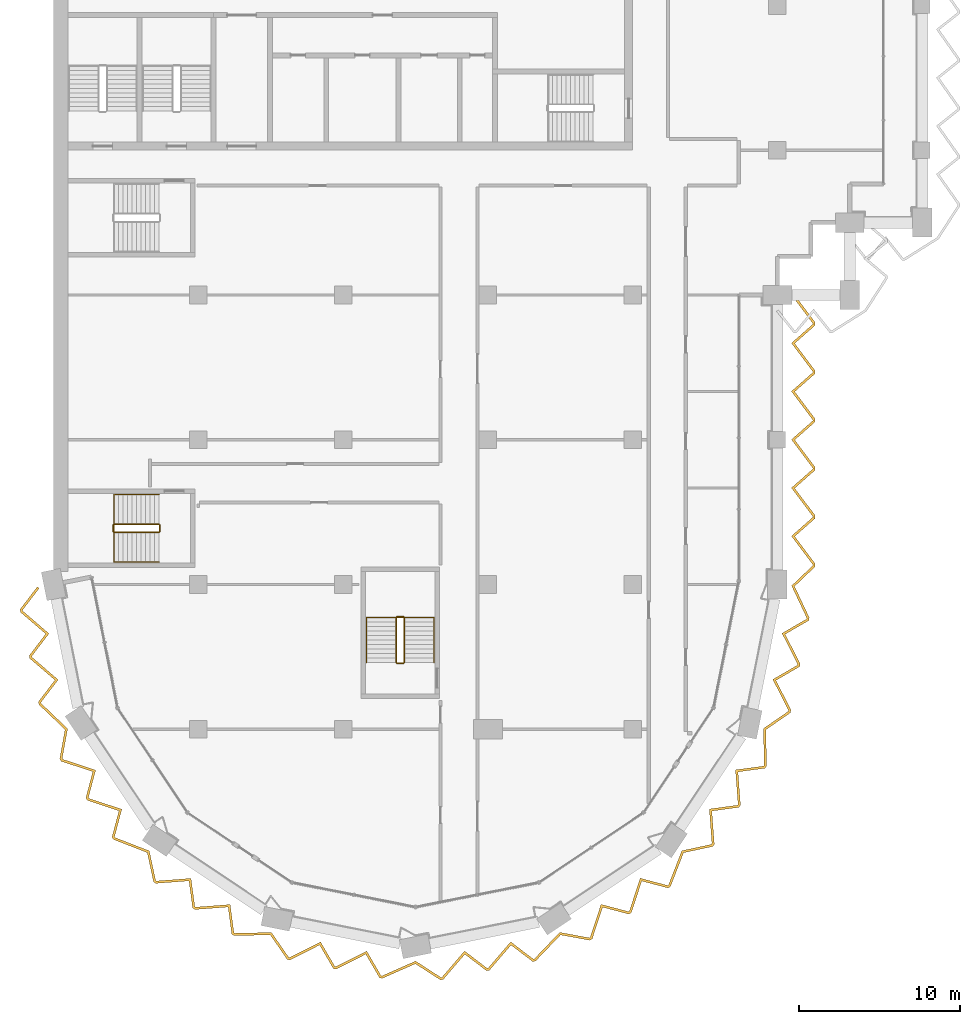
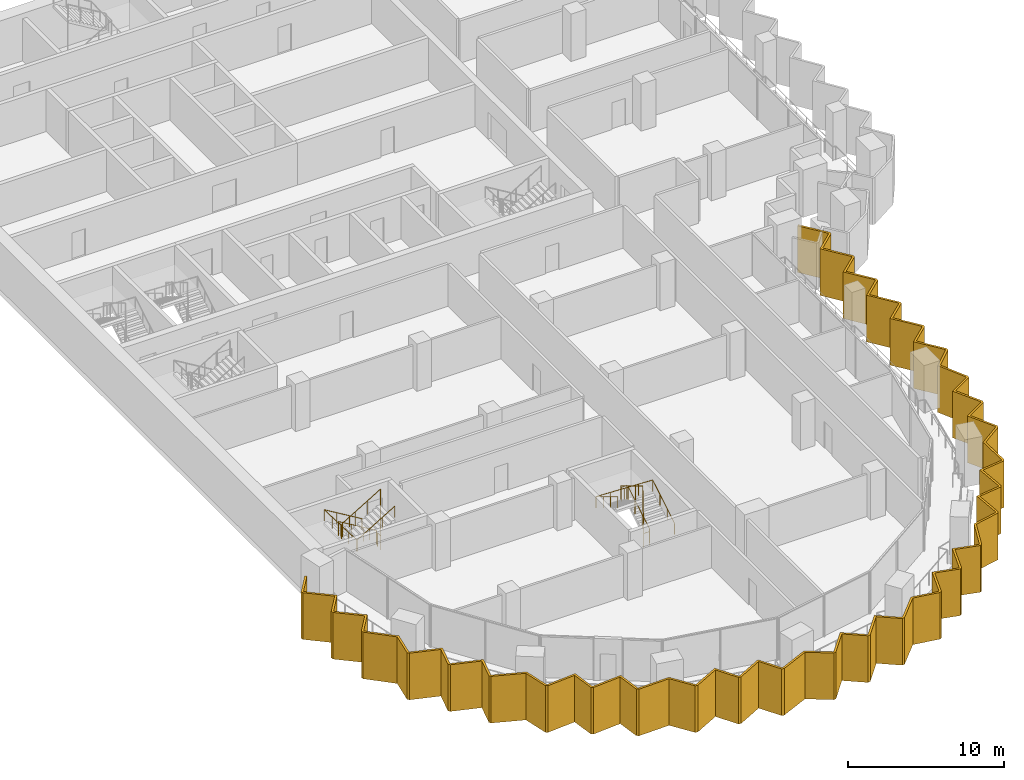
# One storey, part 14 of 17: 4 railings, 1 shading device.
"""IFC4 building model written with IfcOpenShell, lengths in metres."""

import ifcopenshell
import ifcopenshell.guid

model = None  # the IFC model being written
_history = None  # IfcOwnerHistory: only IFC2X3 demands one
_inside = {}  # id of a spatial element -> (the spatial element, [elements in it])
_under = {}  # id of a project, library or spatial element -> (it, [spatial elements below it])
_declared = {}  # id of a project -> (the project, [libraries it declares])
_typed = {}  # id of a type object -> (the type object, [elements of that type])
_made_of = {}  # id of a material, layer set ... -> (it, [elements and type objects made of it])


def new_model(schema):
    """Start an empty IFC model of exactly this schema.

    Asked for "IFC4X3", IfcOpenShell would pick the latest addendum, in which some entities
    have other attributes; the version numbers below select the first issue.
    IFC2X3 requires an IfcOwnerHistory on every rooted entity: one is made here for all.
    """
    global model, _history
    if schema == "IFC4X3":
        model = ifcopenshell.file(schema_version=(4, 3, 0, 0))
    else:
        model = ifcopenshell.file(schema=schema)
    _inside.clear()
    _under.clear()
    _declared.clear()
    _typed.clear()
    _made_of.clear()
    _history = None
    if model.schema == "IFC2X3":
        org = make("IfcOrganization", Name="unknown")
        user = make(
            "IfcPersonAndOrganization",
            ThePerson=make("IfcPerson", FamilyName="unknown"),
            TheOrganization=org,
        )
        app = make(
            "IfcApplication",
            ApplicationDeveloper=org,
            Version="unknown",
            ApplicationFullName="unknown",
            ApplicationIdentifier="unknown",
        )
        _history = make(
            "IfcOwnerHistory",
            OwningUser=user,
            OwningApplication=app,
            ChangeAction="ADDED",
            CreationDate=0,
        )
    return model


def make(cls, **values):
    """One entity of the class cls with the attributes given. An attribute that is None is left unset."""
    return model.create_entity(
        cls, **{name: value for name, value in values.items() if value is not None}
    )


def rooted(cls, **values):
    """An entity with a GlobalId (a new one), such as an element, a storey or a relation."""
    return make(cls, GlobalId=ifcopenshell.guid.new(), OwnerHistory=_history, **values)


def si_unit(unit_type, name, prefix=None):
    """IfcSIUnit, for example si_unit("LENGTHUNIT", "METRE", prefix="MILLI")."""
    return make("IfcSIUnit", UnitType=unit_type, Prefix=prefix, Name=name)


def assignment(units):
    """IfcUnitAssignment: the units of a project."""
    return None if units is None else make("IfcUnitAssignment", Units=units)


def point(xyz):
    """IfcCartesianPoint."""
    return None if xyz is None else make("IfcCartesianPoint", Coordinates=xyz)


def direction(xyz):
    """IfcDirection."""
    return None if xyz is None else make("IfcDirection", DirectionRatios=xyz)


def frame(location, z_axis=None, x_axis=None):
    """IfcAxis2Placement3D, a coordinate frame: its origin and axes. An axis left out is left unset."""
    return make(
        "IfcAxis2Placement3D",
        Location=point(location),
        Axis=direction(z_axis),
        RefDirection=direction(x_axis),
    )


def frame_2d(location, x_axis=None):
    """IfcAxis2Placement2D, a coordinate frame in the plane: its origin and x axis."""
    return make(
        "IfcAxis2Placement2D", Location=point(location), RefDirection=direction(x_axis)
    )


def origin():
    """The frame at (0, 0, 0) with its axes left unset."""
    return frame((0.0, 0.0, 0.0))


def origin_2d():
    """The frame at (0, 0) in the plane with its x axis left unset."""
    return frame_2d((0.0, 0.0))


def place(relative_to, where):
    """IfcLocalPlacement: puts the frame where relative to a parent placement (None: the world)."""
    return make(
        "IfcLocalPlacement", PlacementRelTo=relative_to, RelativePlacement=where
    )


def context(
    kind, dimensions, precision=None, world=None, true_north=None, identifier=None
):
    """IfcGeometricRepresentationContext, for example the 3D "Model" context."""
    return make(
        "IfcGeometricRepresentationContext",
        ContextIdentifier=identifier,
        ContextType=kind,
        CoordinateSpaceDimension=dimensions,
        Precision=precision,
        WorldCoordinateSystem=world,
        TrueNorth=true_north,
    )


def subcontext(parent, identifier, kind, view, scale=None):
    """IfcGeometricRepresentationSubContext, for example "Body" below "Model"."""
    return make(
        "IfcGeometricRepresentationSubContext",
        ContextIdentifier=identifier,
        ContextType=kind,
        ParentContext=parent,
        TargetScale=scale,
        TargetView=view,
    )


def project(units=None, contexts=None):
    """IfcProject with its units and contexts."""
    return rooted(
        "IfcProject",
        Name="project",
        RepresentationContexts=contexts,
        UnitsInContext=assignment(units),
    )


def spatial(cls, under=None, at=None, **own):
    """A site, building, storey or space (cls), placed at a placement, below another one or the project."""
    s = rooted(cls, ObjectPlacement=at, **own)
    if under is not None:
        _under.setdefault(under.id(), (under, []))[1].append(s)
    return s


def polyline(points):
    """IfcPolyline through the points."""
    return make("IfcPolyline", Points=[point(p) for p in points])


def profile(cls, at=None, kind="AREA", **sizes):
    """A parametric profile (cls). Its sizes go by their IFC names, for example OverallWidth=200.0."""
    return make(cls, ProfileType=kind, Position=at, **sizes)


def circle(**sizes):
    """IfcCircleProfileDef."""
    return profile("IfcCircleProfileDef", **sizes)


def outline(outer, holes=None, kind="AREA"):
    """IfcArbitraryClosedProfileDef: a profile drawn as a closed curve; with holes, ...WithVoids."""
    if holes is None:
        return make("IfcArbitraryClosedProfileDef", ProfileType=kind, OuterCurve=outer)
    return make(
        "IfcArbitraryProfileDefWithVoids",
        ProfileType=kind,
        OuterCurve=outer,
        InnerCurves=holes,
    )


def extrude(swept, where, along, depth):
    """IfcExtrudedAreaSolid: the profile swept, set in the frame where, extruded along a direction by depth."""
    return make(
        "IfcExtrudedAreaSolid",
        SweptArea=swept,
        Position=where,
        ExtrudedDirection=direction(along),
        Depth=depth,
    )


def shape(context_of_items, identifier, shape_type, items):
    """IfcShapeRepresentation: the items that make up one representation, for example the "Body"."""
    return make(
        "IfcShapeRepresentation",
        ContextOfItems=context_of_items,
        RepresentationIdentifier=identifier,
        RepresentationType=shape_type,
        Items=items,
    )


def material(Name=None, Category=None):
    """IfcMaterial."""
    return make("IfcMaterial", Name=Name, Category=Category)


def layer(
    of_material, thickness, ventilated=None, Name=None, Category=None, Priority=None
):
    """IfcMaterialLayer: one layer of a wall or slab, of a material (None: an air gap)."""
    return make(
        "IfcMaterialLayer",
        Material=of_material,
        LayerThickness=thickness,
        IsVentilated=ventilated,
        Name=Name,
        Category=Category,
        Priority=Priority,
    )


def layer_set(layers, Name=None):
    """IfcMaterialLayerSet."""
    return make("IfcMaterialLayerSet", MaterialLayers=layers, LayerSetName=Name)


def made_of(thing, what):
    """Note that an element or type object is made of a material, layer set ...; save() writes the relation."""
    if what is not None:
        _made_of.setdefault(what.id(), (what, []))[1].append(thing)
    return thing


def type_object(cls, material=None, **own):
    """A type object (cls), such as IfcWallType, which elements share."""
    return made_of(rooted(cls, **own), material)


def element(
    cls,
    number,
    at=None,
    inside=None,
    cuts=None,
    type_object=None,
    material=None,
    context=None,
    identifier="Body",
    shape_type=None,
    held_by="IfcProductDefinitionShape",
    body=None,
    shapes=None,
    **own,
):
    """One element of the class cls, such as IfcWall. Its Tag is "e" and its number.

    at: its placement. inside: the storey or other place that contains it. cuts: it is an
    opening in that element (IfcRelVoidsElement). A single representation is given by context,
    identifier, shape_type and body (its items); several are given by shapes. held_by: the class
    of the entity that holds the representations. save() writes the other relations.
    """
    e = rooted(cls, Tag="e%d" % number, ObjectPlacement=at, **own)
    if body is not None:
        shapes = [shape(context, identifier, shape_type, body)]
    if shapes is not None:
        e.Representation = make(held_by, Representations=shapes)
    if inside is not None:
        _inside.setdefault(inside.id(), (inside, []))[1].append(e)
    if cuts is not None:
        rooted(
            "IfcRelVoidsElement", RelatingBuildingElement=cuts, RelatedOpeningElement=e
        )
    if type_object is not None:
        _typed.setdefault(type_object.id(), (type_object, []))[1].append(e)
    return made_of(e, material)


def aggregate(whole, parts):
    """IfcRelAggregates: a whole, such as a stair, and the parts it consists of."""
    return rooted("IfcRelAggregates", RelatingObject=whole, RelatedObjects=parts)


def save(model, path):
    """Write the relations noted so far, then the file.

    IfcRelAggregates (storeys below a building ...), IfcRelContainedInSpatialStructure (elements
    in a storey), IfcRelDefinesByType, IfcRelAssociatesMaterial and IfcRelDeclares: one each for
    every whole, place, type object, material and project.
    """
    for whole, parts in _under.values():
        aggregate(whole, parts)
    for where, things in _inside.values():
        rooted(
            "IfcRelContainedInSpatialStructure",
            RelatedElements=things,
            RelatingStructure=where,
        )
    for kind, things in _typed.values():
        rooted("IfcRelDefinesByType", RelatedObjects=things, RelatingType=kind)
    for what, things in _made_of.values():
        rooted("IfcRelAssociatesMaterial", RelatedObjects=things, RelatingMaterial=what)
    for by, libraries in _declared.values():
        rooted("IfcRelDeclares", RelatingContext=by, RelatedDefinitions=libraries)
    model.write(path)


model = new_model("IFC4")

# Units and contexts
model_context = context("Model", 3, precision=1e-05, world=origin(), true_north=direction((0.0, 1.0)))
body_context = subcontext(model_context, "Body", "Model", "MODEL_VIEW")
ifc_project = project(units=[si_unit("LENGTHUNIT", "METRE"), si_unit("AREAUNIT", "SQUARE_METRE"), si_unit("VOLUMEUNIT", "CUBIC_METRE"), si_unit("PLANEANGLEUNIT", "RADIAN"), si_unit("MASSUNIT", "GRAM", prefix="KILO")], contexts=[model_context])

# Site, building, storey
site_placement = place(None, origin())
site = spatial("IfcSite", under=ifc_project, at=site_placement, CompositionType="ELEMENT")
building_placement = place(site_placement, origin())
building = spatial("IfcBuilding", under=site, at=building_placement, Name="Hunhe Ridgeline Campus", CompositionType="ELEMENT")
storey_placement = place(building_placement, frame((0.0, 0.0, 197.60009765625)))
storey = spatial("IfcBuildingStorey", under=building, at=storey_placement, Name="L50", CompositionType="ELEMENT", Elevation=197.60009765625)

# Shading device
ifc_material_1 = material(Name="Concrete C50", Category="concrete")
ifc_layer = layer(ifc_material_1, 0.14990234375)
ifc_layer_set = layer_set([ifc_layer], Name="Sawtooth concrete fin 150 Concrete C50")
shading_device_type = type_object("IfcShadingDeviceType", Name="Sawtooth concrete fin 150 Concrete C50", PredefinedType="USERDEFINED", material=ifc_layer_set)
shading_device_placement = place(storey_placement, frame((0.0, 0.0, -0.9501953125)))
element("IfcShadingDevice", 1, at=shading_device_placement, inside=storey, type_object=shading_device_type, Name="Concrete fin screen 1", ObjectType="FIN", PredefinedType="USERDEFINED", context=body_context, shape_type="SweptSolid", body=[
    extrude(outline(polyline([(-0.896728515625, 35.764404296875), (-1.015869140625, 35.855224609375), (-2.087646484375, 34.44970703125), (-2.052490234375, 34.2734375), (-0.48779296875, 32.928955078125), (-1.516845703125, 31.57958984375), (-1.481689453125, 31.4033203125), (0.0830078125, 30.058837890625), (-0.94580078125, 28.70947265625), (-0.9111328125, 28.535400390625), (0.713134765625, 26.98291015625), (0.379150390625, 25.155517578125), (0.47705078125, 25.009033203125), (2.437255859375, 24.365478515625), (2.0029296875, 22.72509765625), (2.102783203125, 22.57568359375), (4.06298828125, 21.932373046875), (3.62890625, 20.2919921875), (3.7275390625, 20.14453125), (5.822265625, 19.331787109375), (6.213134765625, 17.515625), (6.359619140625, 17.417724609375), (8.416748046875, 17.573486328125), (8.643310546875, 15.891845703125), (8.792724609375, 15.7919921875), (10.849853515625, 15.94775390625), (11.076416015625, 14.26611328125), (11.22412109375, 14.16748046875), (13.470458984375, 14.21826171875), (14.5263671875, 12.68994140625), (14.69921875, 12.655517578125), (16.540283203125, 13.586669921875), (17.39306640625, 12.119873046875), (17.5693359375, 12.084716796875), (19.410400390625, 13.015869140625), (20.26318359375, 11.548828125), (20.4375, 11.51416015625), (22.4931640625, 12.4208984375), (24.0537109375, 11.4130859375), (24.2265625, 11.447509765625), (25.571044921875, 13.01220703125), (26.92041015625, 11.983154296875), (27.0966796875, 12.018310546875), (28.441162109375, 13.5830078125), (29.79052734375, 12.55419921875), (29.964599609375, 12.5888671875), (31.51708984375, 14.213134765625), (33.344482421875, 13.879150390625), (33.490966796875, 13.97705078125), (34.134521484375, 15.937255859375), (35.77490234375, 15.5029296875), (35.92431640625, 15.602783203125), (36.567626953125, 17.56298828125), (38.2080078125, 17.12890625), (38.35546875, 17.2275390625), (39.168212890625, 19.322265625), (40.984375, 19.713134765625), (41.082275390625, 19.859619140625), (40.926513671875, 21.916748046875), (42.608154296875, 22.143310546875), (42.7080078125, 22.292724609375), (42.55224609375, 24.349853515625), (44.23388671875, 24.576416015625), (44.33251953125, 24.72412109375), (44.28173828125, 26.970458984375), (45.81005859375, 28.0263671875), (45.844482421875, 28.19921875), (44.913330078125, 30.040283203125), (46.380126953125, 30.89306640625), (46.415283203125, 31.0693359375), (45.484130859375, 32.910400390625), (46.951171875, 33.76318359375), (46.986083984375, 33.9384765625), (46.06591796875, 35.88720703125), (47.35009765625, 37.114990234375), (47.35009765625, 37.292236328125), (46.07666015625, 38.989501953125), (47.35009765625, 40.11328125), (47.35009765625, 40.292236328125), (46.07666015625, 41.989501953125), (47.35009765625, 43.11328125), (47.35009765625, 43.292236328125), (46.07666015625, 44.989501953125), (47.35009765625, 46.11328125), (47.35009765625, 46.292236328125), (46.07666015625, 47.989501953125), (47.35009765625, 49.11328125), (47.35009765625, 49.292236328125), (46.07666015625, 50.989501953125), (47.35009765625, 52.11328125), (47.35009765625, 52.292236328125), (46.034912109375, 54.044921875), (45.9150390625, 53.955078125), (47.199951171875, 52.2421875), (47.199951171875, 52.180908203125), (45.87353515625, 51.010498046875), (47.199951171875, 49.2421875), (47.199951171875, 49.180908203125), (45.87353515625, 48.010498046875), (47.199951171875, 46.2421875), (47.199951171875, 46.180908203125), (45.87353515625, 45.010498046875), (47.199951171875, 43.2421875), (47.199951171875, 43.180908203125), (45.87353515625, 42.010498046875), (47.199951171875, 40.2421875), (47.199951171875, 40.180908203125), (45.87353515625, 39.010498046875), (47.199951171875, 37.2421875), (47.199951171875, 37.17919921875), (45.884033203125, 35.9208984375), (46.8291015625, 33.919189453125), (46.817138671875, 33.85888671875), (45.28662109375, 32.968994140625), (46.258056640625, 31.0478515625), (46.246337890625, 30.98876953125), (44.715576171875, 30.098876953125), (45.687255859375, 28.177734375), (45.6748046875, 28.115234375), (44.1298828125, 27.0478515625), (44.181640625, 24.76806640625), (44.146728515625, 24.716064453125), (42.39208984375, 24.479736328125), (42.554443359375, 22.3330078125), (42.52099609375, 22.282958984375), (40.766357421875, 22.04638671875), (40.9287109375, 19.89990234375), (40.893310546875, 19.846923828125), (39.0576171875, 19.451904296875), (38.23291015625, 17.325927734375), (38.180908203125, 17.291259765625), (36.46923828125, 17.744140625), (35.7978515625, 15.698974609375), (35.747802734375, 15.665283203125), (34.0361328125, 16.118408203125), (33.36474609375, 14.072998046875), (33.311767578125, 14.03759765625), (31.464599609375, 14.375244140625), (29.888916015625, 12.7265625), (29.82763671875, 12.71435546875), (28.419677734375, 13.7880859375), (27.0166015625, 12.1552734375), (26.95751953125, 12.1435546875), (25.549560546875, 13.21728515625), (24.146484375, 11.58447265625), (24.083984375, 11.572021484375), (22.5068359375, 12.5908203125), (20.420166015625, 11.670654296875), (20.35888671875, 11.682861328125), (19.468994140625, 13.21337890625), (17.5478515625, 12.241943359375), (17.48876953125, 12.253662109375), (16.598876953125, 13.784423828125), (14.677734375, 12.812744140625), (14.615234375, 12.8251953125), (13.5478515625, 14.3701171875), (11.26806640625, 14.318359375), (11.216064453125, 14.353271484375), (10.979736328125, 16.10791015625), (8.8330078125, 15.945556640625), (8.782958984375, 15.97900390625), (8.54638671875, 17.733642578125), (6.39990234375, 17.5712890625), (6.346923828125, 17.606689453125), (5.951904296875, 19.4423828125), (3.825927734375, 20.26708984375), (3.791259765625, 20.319091796875), (4.244140625, 22.03076171875), (2.198974609375, 22.7021484375), (2.165283203125, 22.752197265625), (2.618408203125, 24.4638671875), (0.572998046875, 25.13525390625), (0.53759765625, 25.188232421875), (0.875244140625, 27.035400390625), (-0.7734375, 28.611083984375), (-0.78564453125, 28.67236328125), (0.2880859375, 30.080322265625), (-1.3447265625, 31.4833984375), (-1.3564453125, 31.54248046875), (-0.28271484375, 32.950439453125), (-1.91552734375, 34.353515625), (-1.92724609375, 34.41259765625), (-0.896728515625, 35.764404296875)])), origin(), (0.0, 0.0, 1.0), 3.650146484375),
])

# Railings
ifc_material_2 = material(Name="Stainless steel balustrade", Category="steel")
railing_type_1 = type_object("IfcRailingType", Name="Stair guard 1100 stainless", PredefinedType="GUARDRAIL", material=ifc_material_2)
railing_1_placement = place(storey_placement, frame((21.800048828125, 31.14990234375, 0.16796875)))
element("IfcRailing", 2, at=railing_1_placement, inside=storey, type_object=railing_type_1, Name="L50 stair W3 guard", PredefinedType="GUARDRAIL", context=body_context, shape_type="SweptSolid", body=[
    extrude(circle(Radius=0.02392578125, at=origin_2d()), frame((0.0, 0.0, 1.076171875), z_axis=(0.0, 0.857242210791, 0.514913383045), x_axis=(-1.0, 0.0, 0.0)), (0.0, 0.0, 1.0), 3.266357421875),
    extrude(circle(Radius=0.02392578125, at=origin_2d()), frame((0.0, 2.800048828125, 2.7578125), z_axis=(-0.707106781187, 0.707106781187, 0.0), x_axis=(-0.707106781187, -0.707106781187, 0.0)), (0.0, 0.0, 1.0), 0.07080078125),
    extrude(circle(Radius=0.02392578125, at=origin_2d()), frame((-0.050048828125, 2.85009765625, 2.7578125), z_axis=(-1.0, 0.0, 0.0), x_axis=(0.0, -1.0, 0.0)), (0.0, 0.0, 1.0), 0.39990234375),
    extrude(circle(Radius=0.02392578125, at=origin_2d()), frame((-0.449951171875, 2.85009765625, 2.7578125), z_axis=(-0.274243871929, -0.274243871929, 0.92172696468), x_axis=(0.707106781187, -0.707106781187, 0.0)), (0.0, 0.0, 1.0), 0.1826171875),
    extrude(circle(Radius=0.02392578125, at=origin_2d()), frame((-0.5, 2.800048828125, 2.92626953125), z_axis=(0.0, -0.857242210791, 0.514913383045), x_axis=(1.0, 0.0, 0.0)), (0.0, 0.0, 1.0), 3.266357421875),
    extrude(circle(Radius=0.02392578125, at=origin_2d()), frame((-0.5, 0.0, 4.60791015625), z_axis=(0.013524426427, -0.013458453615, -0.999817963389), x_axis=(0.705375805398, 0.708833529934, 0.0)), (0.0, 0.0, 1.0), 3.70068359375),
    extrude(circle(Radius=0.02392578125, at=origin_2d()), frame((-0.449951171875, -0.0498046875, 0.908203125), z_axis=(1.0, 0.0, 0.0), x_axis=(0.0, 1.0, 0.0)), (0.0, 0.0, 1.0), 0.39990234375),
    extrude(circle(Radius=0.02099609375, at=origin_2d()), origin(), (0.0, 0.0, 1.0), 1.052001953125),
    extrude(circle(Radius=0.02099609375, at=origin_2d()), frame((0.0, 0.933349609375, 0.560546875)), (0.0, 0.0, 1.0), 1.052001953125),
    extrude(circle(Radius=0.02099609375, at=origin_2d()), frame((0.0, 1.86669921875, 1.121337890625)), (0.0, 0.0, 1.0), 1.052001953125),
    extrude(circle(Radius=0.02099609375, at=origin_2d()), frame((0.0, 2.800048828125, 1.681884765625)), (0.0, 0.0, 1.0), 1.052001953125),
    extrude(circle(Radius=0.02099609375, at=origin_2d()), frame((-0.050048828125, 2.85009765625, 1.681884765625)), (0.0, 0.0, 1.0), 1.052001953125),
    extrude(circle(Radius=0.02099609375, at=origin_2d()), frame((-0.449951171875, 2.85009765625, 1.681884765625)), (0.0, 0.0, 1.0), 1.052001953125),
    extrude(circle(Radius=0.02099609375, at=origin_2d()), frame((-0.5, 2.800048828125, 1.85009765625)), (0.0, 0.0, 1.0), 1.052001953125),
    extrude(circle(Radius=0.02099609375, at=origin_2d()), frame((-0.5, 1.86669921875, 2.41064453125)), (0.0, 0.0, 1.0), 1.052001953125),
    extrude(circle(Radius=0.02099609375, at=origin_2d()), frame((-0.5, 0.933349609375, 2.971435546875)), (0.0, 0.0, 1.0), 1.052001953125),
    extrude(circle(Radius=0.02099609375, at=origin_2d()), frame((-0.5, 0.0, 3.531982421875)), (0.0, 0.0, 1.0), 1.052001953125),
    extrude(circle(Radius=0.02099609375, at=origin_2d()), frame((-0.487548828125, -0.012451171875, 2.60693359375)), (0.0, 0.0, 1.0), 1.052001953125),
    extrude(circle(Radius=0.02099609375, at=origin_2d()), frame((-0.47509765625, -0.02490234375, 1.68212890625)), (0.0, 0.0, 1.0), 1.052001953125),
    extrude(circle(Radius=0.02099609375, at=origin_2d()), frame((-0.46240234375, -0.037353515625, 0.757080078125)), (0.0, 0.0, 1.0), 1.052001953125),
    extrude(circle(Radius=0.02099609375, at=origin_2d()), frame((-0.449951171875, -0.0498046875, -0.16796875)), (0.0, 0.0, 1.0), 1.052001953125),
    extrude(circle(Radius=0.02099609375, at=origin_2d()), frame((-0.050048828125, -0.0498046875, -0.16796875)), (0.0, 0.0, 1.0), 1.052001953125),
])
railing_2_placement = place(storey_placement, frame((6.550048828125, 39.75, 0.16796875)))
element("IfcRailing", 3, at=railing_2_placement, inside=storey, type_object=railing_type_1, Name="L50 stair W1 guard", PredefinedType="GUARDRAIL", context=body_context, shape_type="SweptSolid", body=[
    extrude(circle(Radius=0.02392578125, at=origin_2d()), frame((0.0, 0.0, 1.076171875), z_axis=(-0.857242210791, 0.0, 0.514913383045), x_axis=(0.0, -1.0, 0.0)), (0.0, 0.0, 1.0), 3.266357421875),
    extrude(circle(Radius=0.02392578125, at=origin_2d()), frame((-2.800048828125, 0.0, 2.7578125), z_axis=(-0.707106781187, -0.707106781187, 0.0), x_axis=(0.707106781187, -0.707106781187, 0.0)), (0.0, 0.0, 1.0), 0.07080078125),
    extrude(circle(Radius=0.02392578125, at=origin_2d()), frame((-2.85009765625, -0.050048828125, 2.7578125), z_axis=(0.0, -1.0, 0.0), x_axis=(1.0, 0.0, 0.0)), (0.0, 0.0, 1.0), 0.39990234375),
    extrude(circle(Radius=0.02392578125, at=origin_2d()), frame((-2.85009765625, -0.449951171875, 2.7578125), z_axis=(0.274243871929, -0.274243871929, 0.92172696468), x_axis=(0.707106781187, 0.707106781187, 0.0)), (0.0, 0.0, 1.0), 0.1826171875),
    extrude(circle(Radius=0.02392578125, at=origin_2d()), frame((-2.800048828125, -0.5, 2.92626953125), z_axis=(0.857242210791, 0.0, 0.514913383045), x_axis=(0.0, 1.0, 0.0)), (0.0, 0.0, 1.0), 3.266357421875),
    extrude(circle(Radius=0.02392578125, at=origin_2d()), frame((0.0, -0.5, 4.60791015625), z_axis=(0.013524414389, 0.013524414389, -0.999817073484), x_axis=(-0.707106781187, 0.707106781187, 0.0)), (0.0, 0.0, 1.0), 3.70068359375),
    extrude(circle(Radius=0.02392578125, at=origin_2d()), frame((0.050048828125, -0.449951171875, 0.908203125), z_axis=(0.0, 1.0, 0.0), x_axis=(-1.0, 0.0, 0.0)), (0.0, 0.0, 1.0), 0.39990234375),
    extrude(circle(Radius=0.02099609375, at=origin_2d()), origin(), (0.0, 0.0, 1.0), 1.052001953125),
    extrude(circle(Radius=0.02099609375, at=origin_2d()), frame((-0.933349609375, 0.0, 0.560546875)), (0.0, 0.0, 1.0), 1.052001953125),
    extrude(circle(Radius=0.02099609375, at=origin_2d()), frame((-1.86669921875, 0.0, 1.121337890625)), (0.0, 0.0, 1.0), 1.052001953125),
    extrude(circle(Radius=0.02099609375, at=origin_2d()), frame((-2.800048828125, 0.0, 1.681884765625)), (0.0, 0.0, 1.0), 1.052001953125),
    extrude(circle(Radius=0.02099609375, at=origin_2d()), frame((-2.85009765625, -0.050048828125, 1.681884765625)), (0.0, 0.0, 1.0), 1.052001953125),
    extrude(circle(Radius=0.02099609375, at=origin_2d()), frame((-2.85009765625, -0.449951171875, 1.681884765625)), (0.0, 0.0, 1.0), 1.052001953125),
    extrude(circle(Radius=0.02099609375, at=origin_2d()), frame((-2.800048828125, -0.5, 1.85009765625)), (0.0, 0.0, 1.0), 1.052001953125),
    extrude(circle(Radius=0.02099609375, at=origin_2d()), frame((-1.86669921875, -0.5, 2.41064453125)), (0.0, 0.0, 1.0), 1.052001953125),
    extrude(circle(Radius=0.02099609375, at=origin_2d()), frame((-0.933349609375, -0.5, 2.971435546875)), (0.0, 0.0, 1.0), 1.052001953125),
    extrude(circle(Radius=0.02099609375, at=origin_2d()), frame((0.0, -0.5, 3.531982421875)), (0.0, 0.0, 1.0), 1.052001953125),
    extrude(circle(Radius=0.02099609375, at=origin_2d()), frame((0.012451171875, -0.487548828125, 2.60693359375)), (0.0, 0.0, 1.0), 1.052001953125),
    extrude(circle(Radius=0.02099609375, at=origin_2d()), frame((0.02490234375, -0.47509765625, 1.68212890625)), (0.0, 0.0, 1.0), 1.052001953125),
    extrude(circle(Radius=0.02099609375, at=origin_2d()), frame((0.03759765625, -0.46240234375, 0.757080078125)), (0.0, 0.0, 1.0), 1.052001953125),
    extrude(circle(Radius=0.02099609375, at=origin_2d()), frame((0.050048828125, -0.449951171875, -0.16796875)), (0.0, 0.0, 1.0), 1.052001953125),
    extrude(circle(Radius=0.02099609375, at=origin_2d()), frame((0.050048828125, -0.050048828125, -0.16796875)), (0.0, 0.0, 1.0), 1.052001953125),
])
ifc_material_3 = material(Name="Stainless steel handrail", Category="steel")
railing_type_2 = type_object("IfcRailingType", Name="Stair handrail 900 stainless", PredefinedType="HANDRAIL", material=ifc_material_3)
railing_3_placement = place(storey_placement, frame((23.64990234375, 31.14990234375, 0.16796875)))
element("IfcRailing", 4, at=railing_3_placement, inside=storey, type_object=railing_type_2, Name="L50 stair W3 handrail", PredefinedType="HANDRAIL", context=body_context, shape_type="SweptSolid", body=[
    extrude(circle(Radius=0.02392578125, at=origin_2d()), frame((0.0, 0.0, 0.8759765625), z_axis=(0.0, 0.857242210791, 0.514913383045), x_axis=(-1.0, 0.0, 0.0)), (0.0, 0.0, 1.0), 3.266357421875),
    extrude(circle(Radius=0.02392578125, at=origin_2d()), frame((0.0, 2.800048828125, 2.5576171875), z_axis=(-0.999198916169, 0.0, 0.040019069537), x_axis=(0.0, -1.0, 0.0)), (0.0, 0.0, 1.0), 4.203369140625),
    extrude(circle(Radius=0.02392578125, at=origin_2d()), frame((-4.199951171875, 2.800048828125, 2.72607421875), z_axis=(0.0, -0.857242210791, 0.514913383045), x_axis=(1.0, 0.0, 0.0)), (0.0, 0.0, 1.0), 3.266357421875),
    extrude(circle(Radius=0.02099609375, at=origin_2d()), origin(), (0.0, 0.0, 1.0), 0.851806640625),
    extrude(circle(Radius=0.02099609375, at=origin_2d()), frame((0.0, 0.933349609375, 0.560546875)), (0.0, 0.0, 1.0), 0.851806640625),
    extrude(circle(Radius=0.02099609375, at=origin_2d()), frame((0.0, 1.86669921875, 1.121337890625)), (0.0, 0.0, 1.0), 0.851806640625),
    extrude(circle(Radius=0.02099609375, at=origin_2d()), frame((0.0, 2.800048828125, 1.681884765625)), (0.0, 0.0, 1.0), 0.851806640625),
    extrude(circle(Radius=0.02099609375, at=origin_2d()), frame((-1.050048828125, 2.800048828125, 1.723876953125)), (0.0, 0.0, 1.0), 0.851806640625),
    extrude(circle(Radius=0.02099609375, at=origin_2d()), frame((-2.10009765625, 2.800048828125, 1.76611328125)), (0.0, 0.0, 1.0), 0.851806640625),
    extrude(circle(Radius=0.02099609375, at=origin_2d()), frame((-3.14990234375, 2.800048828125, 1.80810546875)), (0.0, 0.0, 1.0), 0.851806640625),
    extrude(circle(Radius=0.02099609375, at=origin_2d()), frame((-4.199951171875, 2.800048828125, 1.85009765625)), (0.0, 0.0, 1.0), 0.851806640625),
    extrude(circle(Radius=0.02099609375, at=origin_2d()), frame((-4.199951171875, 1.86669921875, 2.41064453125)), (0.0, 0.0, 1.0), 0.851806640625),
    extrude(circle(Radius=0.02099609375, at=origin_2d()), frame((-4.199951171875, 0.933349609375, 2.971435546875)), (0.0, 0.0, 1.0), 0.851806640625),
    extrude(circle(Radius=0.02099609375, at=origin_2d()), frame((-4.199951171875, 0.0, 3.531982421875)), (0.0, 0.0, 1.0), 0.851806640625),
])
railing_4_placement = place(storey_placement, frame((6.550048828125, 41.60009765625, 0.16796875)))
element("IfcRailing", 5, at=railing_4_placement, inside=storey, type_object=railing_type_2, Name="L50 stair W1 handrail", PredefinedType="HANDRAIL", context=body_context, shape_type="SweptSolid", body=[
    extrude(circle(Radius=0.02392578125, at=origin_2d()), frame((0.0, 0.0, 0.8759765625), z_axis=(-0.857242210791, 0.0, 0.514913383045), x_axis=(0.0, -1.0, 0.0)), (0.0, 0.0, 1.0), 3.266357421875),
    extrude(circle(Radius=0.02392578125, at=origin_2d()), frame((-2.800048828125, 0.0, 2.5576171875), z_axis=(0.0, -0.999199009182, 0.040016747113), x_axis=(1.0, 0.0, 0.0)), (0.0, 0.0, 1.0), 4.20361328125),
    extrude(circle(Radius=0.02392578125, at=origin_2d()), frame((-2.800048828125, -4.2001953125, 2.72607421875), z_axis=(0.857242210791, 0.0, 0.514913383045), x_axis=(0.0, 1.0, 0.0)), (0.0, 0.0, 1.0), 3.266357421875),
    extrude(circle(Radius=0.02099609375, at=origin_2d()), origin(), (0.0, 0.0, 1.0), 0.851806640625),
    extrude(circle(Radius=0.02099609375, at=origin_2d()), frame((-0.933349609375, 0.0, 0.560546875)), (0.0, 0.0, 1.0), 0.851806640625),
    extrude(circle(Radius=0.02099609375, at=origin_2d()), frame((-1.86669921875, 0.0, 1.121337890625)), (0.0, 0.0, 1.0), 0.851806640625),
    extrude(circle(Radius=0.02099609375, at=origin_2d()), frame((-2.800048828125, 0.0, 1.681884765625)), (0.0, 0.0, 1.0), 0.851806640625),
    extrude(circle(Radius=0.02099609375, at=origin_2d()), frame((-2.800048828125, -1.050048828125, 1.723876953125)), (0.0, 0.0, 1.0), 0.851806640625),
    extrude(circle(Radius=0.02099609375, at=origin_2d()), frame((-2.800048828125, -2.10009765625, 1.76611328125)), (0.0, 0.0, 1.0), 0.851806640625),
    extrude(circle(Radius=0.02099609375, at=origin_2d()), frame((-2.800048828125, -3.150146484375, 1.80810546875)), (0.0, 0.0, 1.0), 0.851806640625),
    extrude(circle(Radius=0.02099609375, at=origin_2d()), frame((-2.800048828125, -4.2001953125, 1.85009765625)), (0.0, 0.0, 1.0), 0.851806640625),
    extrude(circle(Radius=0.02099609375, at=origin_2d()), frame((-1.86669921875, -4.2001953125, 2.41064453125)), (0.0, 0.0, 1.0), 0.851806640625),
    extrude(circle(Radius=0.02099609375, at=origin_2d()), frame((-0.933349609375, -4.2001953125, 2.971435546875)), (0.0, 0.0, 1.0), 0.851806640625),
    extrude(circle(Radius=0.02099609375, at=origin_2d()), frame((0.0, -4.2001953125, 3.531982421875)), (0.0, 0.0, 1.0), 0.851806640625),
])

save(model, "model.ifc")
